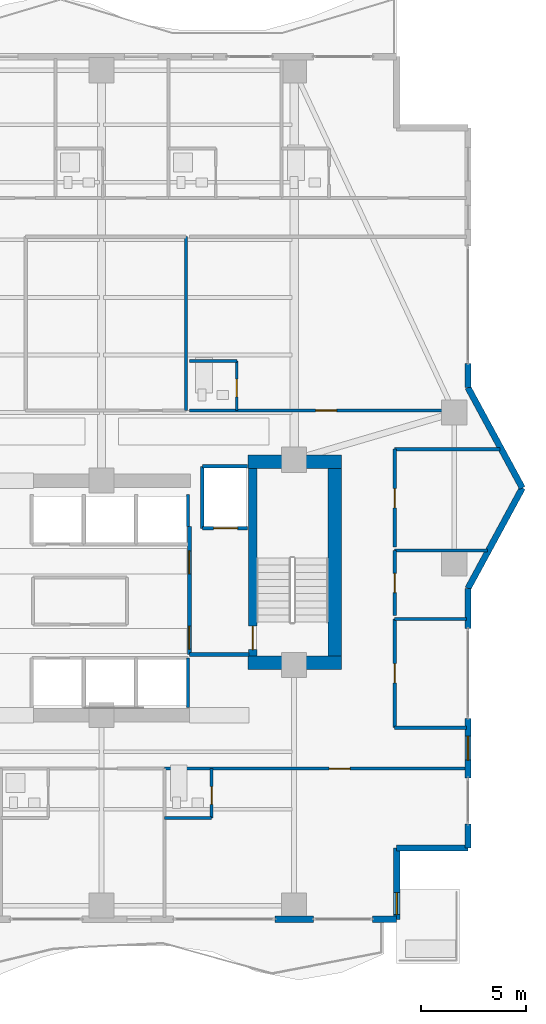
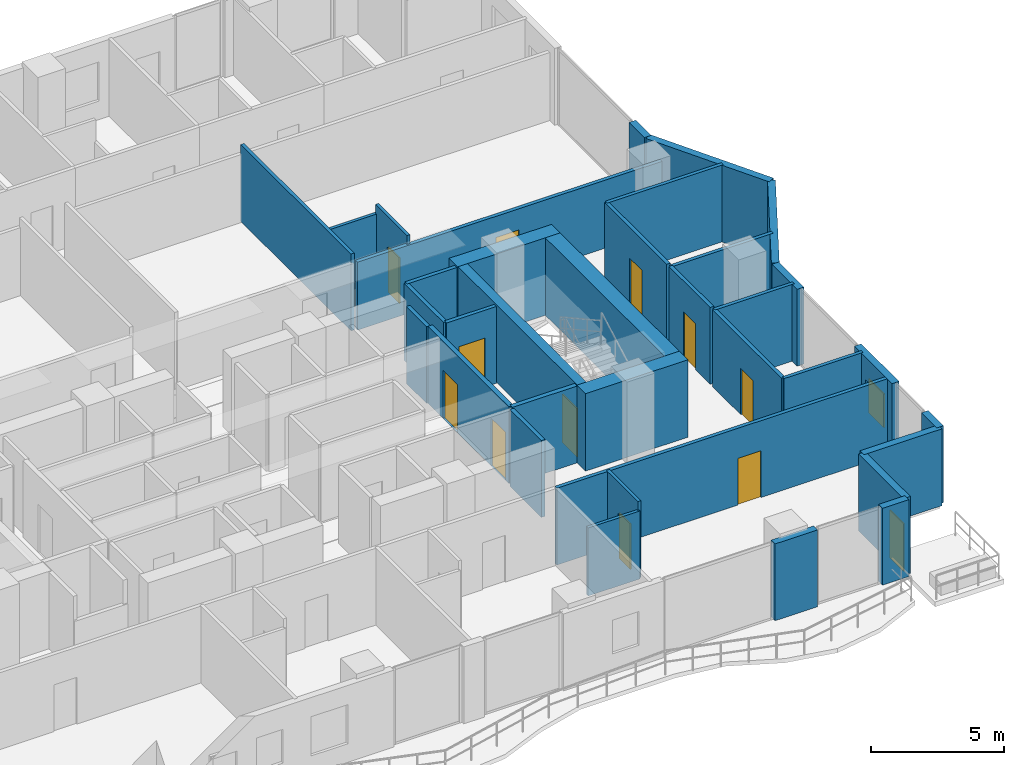
# One storey, part 26 of 32: 35 walls, 12 doors, 1 window, 13 openings.
"""IFC4 building model written with IfcOpenShell, lengths in metres."""

from ifc_helpers import new_model, si_unit, direction, frame, frame_2d, origin, place, context, subcontext, project, spatial, rectangle, extrude, material, layer, layer_set, type_object, element, fill, save


model = new_model("IFC4")

# Units and contexts
model_context = context("Model", 3, precision=1e-05, world=origin(), true_north=direction((0.0, 1.0)))
body_context = subcontext(model_context, "Body", "Model", "MODEL_VIEW")
ifc_project = project(units=[si_unit("LENGTHUNIT", "METRE"), si_unit("AREAUNIT", "SQUARE_METRE"), si_unit("VOLUMEUNIT", "CUBIC_METRE"), si_unit("PLANEANGLEUNIT", "RADIAN"), si_unit("MASSUNIT", "GRAM", prefix="KILO")], contexts=[model_context])

# Site, building, storey
site_placement = place(None, origin())
site = spatial("IfcSite", under=ifc_project, at=site_placement, CompositionType="ELEMENT")
building_placement = place(site_placement, origin())
building = spatial("IfcBuilding", under=site, at=building_placement, Name="Zuhayl Quay Hotel", CompositionType="ELEMENT")
storey_placement = place(building_placement, frame((0.0, 0.0, 203.64990234375)))
storey = spatial("IfcBuildingStorey", under=building, at=storey_placement, Name="L51", CompositionType="ELEMENT", Elevation=203.64990234375)

# Walls
ifc_material_1 = material(Name="Concrete C50/60", Category="concrete")
ifc_layer_1 = layer(ifc_material_1, 0.64990234375, Name="Concrete C50/60", Category="concrete")
ifc_layer_set_1 = layer_set([ifc_layer_1], Name="Concrete C50/60")
wall_type_1 = type_object("IfcWallType", Name="WL_CORE_650", PredefinedType="SHEAR", material=ifc_layer_set_1)
wall_1_placement = place(storey_placement, frame((11.60009765625, 14.2548828125, 0.0), z_axis=(0.0, 0.0, 1.0), x_axis=(1.0, 0.0, 0.0)))
element("IfcWall", 1, at=wall_1_placement, inside=storey, type_object=wall_type_1, Name="L51 Core Shear Wall CW_NE", PredefinedType="SHEAR", context=body_context, shape_type="SweptSolid", body=[
    extrude(rectangle(XDim=4.4599609375, YDim=0.64990234375, at=frame_2d((2.22998046875, 0.0))), origin(), (0.0, 0.0, 1.0), 3.56005859375),
])
wall_2_placement = place(storey_placement, frame((15.735107421875, 4.969970703125, 0.0), z_axis=(0.0, 0.0, 1.0), x_axis=(0.0, 1.0, 0.0)))
element("IfcWall", 2, at=wall_2_placement, inside=storey, type_object=wall_type_1, Name="L51 Core Shear Wall CW_E", PredefinedType="SHEAR", context=body_context, shape_type="SweptSolid", body=[
    extrude(rectangle(XDim=8.9599609375, YDim=0.64990234375, at=frame_2d((4.47998046875, 0.0))), origin(), (0.0, 0.0, 1.0), 3.56005859375),
])
wall_3_placement = place(storey_placement, frame((11.60009765625, 4.64501953125, 0.0), z_axis=(0.0, 0.0, 1.0), x_axis=(1.0, 0.0, 0.0)))
element("IfcWall", 3, at=wall_3_placement, inside=storey, type_object=wall_type_1, Name="L51 Core Shear Wall CW_SE", PredefinedType="SHEAR", context=body_context, shape_type="SweptSolid", body=[
    extrude(rectangle(XDim=4.4599609375, YDim=0.64990234375, at=frame_2d((2.22998046875, 0.0))), origin(), (0.0, 0.0, 1.0), 3.56005859375),
])
ifc_material_2 = material(Name="Precast concrete C45/55", Category="concrete")
ifc_layer_2 = layer(ifc_material_2, 0.300048828125, Name="Precast concrete C45/55", Category="concrete")
ifc_layer_set_2 = layer_set([ifc_layer_2], Name="Precast concrete C45/55")
wall_type_2 = type_object("IfcWallType", Name="WL_EXT_300", PredefinedType="STANDARD", material=ifc_layer_set_2)
wall_4_placement = place(storey_placement, frame((22.10009765625, 18.949951171875, 0.0), z_axis=(0.0, 0.0, 1.0), x_axis=(0.0, -1.0, 0.0)))
element("IfcWall", 4, at=wall_4_placement, inside=storey, type_object=wall_type_2, Name="L51 Exterior Precast Wall ENV_L51_E11_EW2", PredefinedType="STANDARD", context=body_context, shape_type="SweptSolid", body=[
    extrude(rectangle(XDim=1.14990234375, YDim=0.300048828125, at=frame_2d((0.574951171875, 0.0))), origin(), (0.0, 0.0, 1.0), 3.530029296875),
])
for number, where, z_axis, x_axis, name in (
    (5, (22.10009765625, 17.800048828125, 0.0), (0.0, 0.0, 1.0), (0.476258655584, -0.879305233114, 0.0), "L51 Exterior Precast Wall ENV_L51_EW12"),
    (6, (24.699951171875, 13.0, 0.0), (0.0, 0.0, 1.0), (-0.476258655584, -0.879305233114, 0.0), "L51 Exterior Precast Wall ENV_L51_EW13"),
):
    element("IfcWall", number, at=place(storey_placement, frame(where, z_axis=z_axis, x_axis=x_axis)), inside=storey, type_object=wall_type_2, Name=name, PredefinedType="STANDARD", context=body_context, shape_type="SweptSolid", body=[
        extrude(rectangle(XDim=5.458984375, YDim=0.300048828125, at=frame_2d((2.7294921875, 0.0))), origin(), (0.0, 0.0, 1.0), 3.530029296875),
    ])
wall_5_placement = place(storey_placement, frame((22.10009765625, 8.199951171875, 0.0), z_axis=(0.0, 0.0, 1.0), x_axis=(0.0, -1.0, 0.0)))
element("IfcWall", 7, at=wall_5_placement, inside=storey, type_object=wall_type_2, Name="L51 Exterior Precast Wall ENV_L51_E14_EW1", PredefinedType="STANDARD", context=body_context, shape_type="SweptSolid", body=[
    extrude(rectangle(XDim=1.89990234375, YDim=0.300048828125, at=frame_2d((0.949951171875, 0.0))), origin(), (0.0, 0.0, 1.0), 3.530029296875),
])

# Wall, opening, window
wall_6_placement = place(storey_placement, frame((22.10009765625, 2.0, 0.0), z_axis=(0.0, 0.0, 1.0), x_axis=(0.0, -1.0, 0.0)))
wall_6 = element("IfcWall", 8, at=wall_6_placement, inside=storey, type_object=wall_type_2, Name="L51 Exterior Precast Wall ENV_L51_E14_EW2", PredefinedType="STANDARD", context=body_context, shape_type="SweptSolid", body=[
    extrude(rectangle(XDim=2.85009765625, YDim=0.300048828125, at=frame_2d((1.425048828125, 0.0))), origin(), (0.0, 0.0, 1.0), 3.530029296875),
])
opening_1_placement = place(wall_6_placement, frame((0.85009765625, 0.0, 0.949951171875)))
opening_1 = element("IfcOpeningElement", 9, at=opening_1_placement, cuts=wall_6, Name="Opening W01N", PredefinedType="OPENING", context=body_context, shape_type="SweptSolid", body=[
    extrude(rectangle(XDim=1.14990234375, YDim=1.550048828125, at=frame_2d((0.574951171875, 0.77490234375))), frame((0.0, 0.159912109375, 0.0), z_axis=(0.0, -1.0, 0.0), x_axis=(1.0, 0.0, 0.0)), (0.0, 0.0, 1.0), 0.320068359375),
])
ifc_material_3 = material(Name="Dark Ceramic-Fritted Solar Glass", Category="glass")
window_type = type_object("IfcWindowType", Name="WN_NOTCH_1350", PartitioningType="SINGLE_PANEL", PredefinedType="WINDOW", material=ifc_material_3)
window_placement = place(opening_1_placement, origin())
window = element("IfcWindow", 10, at=window_placement, inside=storey, type_object=window_type, Name="L51 Operable Facade Window 2-1", OverallHeight=1.550048828125, OverallWidth=1.14990234375, PartitioningType="SINGLE_PANEL", PredefinedType="WINDOW", context=body_context, shape_type="SweptSolid", body=[
    extrude(rectangle(XDim=1.14990234375, YDim=1.550048828125, at=frame_2d((0.574951171875, 0.77490234375))), frame((0.0, 0.030029296875, 0.0), z_axis=(0.0, -1.0, 0.0), x_axis=(1.0, 0.0, 0.0)), (0.0, 0.0, 1.0), 0.06005859375),
])
fill(opening_1, window)

# Walls
wall_7_placement = place(storey_placement, frame((22.10009765625, -3.050048828125, 0.0), z_axis=(0.0, 0.0, 1.0), x_axis=(0.0, -1.0, 0.0)))
element("IfcWall", 11, at=wall_7_placement, inside=storey, type_object=wall_type_2, Name="L51 Exterior Precast Wall ENV_L51_E14_EW3", PredefinedType="STANDARD", context=body_context, shape_type="SweptSolid", body=[
    extrude(rectangle(XDim=1.14990234375, YDim=0.300048828125, at=frame_2d((0.574951171875, 0.0))), origin(), (0.0, 0.0, 1.0), 3.530029296875),
])
wall_8_placement = place(storey_placement, frame((22.10009765625, -4.199951171875, 0.0), z_axis=(0.0, 0.0, 1.0), x_axis=(-1.0, 0.0, 0.0)))
element("IfcWall", 12, at=wall_8_placement, inside=storey, type_object=wall_type_2, Name="L51 Exterior Precast Wall ENV_L51_EW15", PredefinedType="STANDARD", context=body_context, shape_type="SweptSolid", body=[
    extrude(rectangle(XDim=3.400146484375, YDim=0.300048828125, at=frame_2d((1.7001953125, 0.0))), origin(), (0.0, 0.0, 1.0), 3.530029296875),
])

# Wall, opening, door
wall_9_placement = place(storey_placement, frame((18.699951171875, -4.199951171875, 0.0), z_axis=(0.0, 0.0, 1.0), x_axis=(0.0, -1.0, 0.0)))
wall_9 = element("IfcWall", 13, at=wall_9_placement, inside=storey, type_object=wall_type_2, Name="L51 Exterior Precast Wall ENV_L51_SP_SE", PredefinedType="STANDARD", context=body_context, shape_type="SweptSolid", body=[
    extrude(rectangle(XDim=3.400146484375, YDim=0.300048828125, at=frame_2d((1.7001953125, 0.0))), origin(), (0.0, 0.0, 1.0), 3.530029296875),
])
opening_2_placement = place(wall_9_placement, frame((2.1298828125, 0.0, 0.0)))
opening_2 = element("IfcOpeningElement", 14, at=opening_2_placement, cuts=wall_9, Name="Opening DG1", PredefinedType="OPENING", context=body_context, shape_type="SweptSolid", body=[
    extrude(rectangle(XDim=1.050048828125, YDim=2.199951171875, at=frame_2d((0.52490234375, 1.10009765625))), frame((0.0, 0.159912109375, 0.0), z_axis=(0.0, -1.0, 0.0), x_axis=(1.0, 0.0, 0.0)), (0.0, 0.0, 1.0), 0.320068359375),
])
ifc_material_4 = material(Name="Anodised Aluminium and Dark Solar Glass", Category="aluminium")
door_type_1 = type_object("IfcDoorType", Name="DR_EXT_TERR_1050", OperationType="NOTDEFINED", PredefinedType="DOOR", material=ifc_material_4)
door_1_placement = place(opening_2_placement, origin())
door_1 = element("IfcDoor", 15, at=door_1_placement, inside=storey, type_object=door_type_1, Name="L51 Spiral Sky-Terrace SE Access Door", OperationType="SINGLE_SWING_LEFT", OverallHeight=2.199951171875, OverallWidth=1.050048828125, PredefinedType="DOOR", context=body_context, shape_type="SweptSolid", body=[
    extrude(rectangle(XDim=1.050048828125, YDim=2.199951171875, at=frame_2d((0.52490234375, 1.10009765625))), frame((0.0, 0.02490234375, 0.0), z_axis=(0.0, -1.0, 0.0), x_axis=(1.0, 0.0, 0.0)), (0.0, 0.0, 1.0), 0.050048828125),
])
fill(opening_2, door_1)

# Walls
wall_10_placement = place(storey_placement, frame((18.699951171875, -7.60009765625, 0.0), z_axis=(0.0, 0.0, 1.0), x_axis=(-1.0, 0.0, 0.0)))
element("IfcWall", 16, at=wall_10_placement, inside=storey, type_object=wall_type_2, Name="L51 Exterior Precast Wall ENV_L51_S_EW1", PredefinedType="STANDARD", context=body_context, shape_type="SweptSolid", body=[
    extrude(rectangle(XDim=1.14990234375, YDim=0.300048828125, at=frame_2d((0.574951171875, 0.0))), origin(), (0.0, 0.0, 1.0), 3.530029296875),
])
wall_11_placement = place(storey_placement, frame((14.719970703125, -7.60009765625, 0.0), z_axis=(0.0, 0.0, 1.0), x_axis=(-1.0, 0.0, 0.0)))
element("IfcWall", 17, at=wall_11_placement, inside=storey, type_object=wall_type_2, Name="L51 Exterior Precast Wall ENV_L51_S_EW2", PredefinedType="STANDARD", context=body_context, shape_type="SweptSolid", body=[
    extrude(rectangle(XDim=1.840087890625, YDim=0.300048828125, at=frame_2d((0.919921875, 0.0))), origin(), (0.0, 0.0, 1.0), 3.530029296875),
])
ifc_material_5 = material(Name="Acoustic Gypsum Partition STC-58")
ifc_layer_3 = layer(ifc_material_5, 0.14990234375, Name="Acoustic Gypsum Partition STC-58")
ifc_layer_set_3 = layer_set([ifc_layer_3], Name="Acoustic Gypsum Partition STC-58")
wall_type_3 = type_object("IfcWallType", Name="WL_PART_150", PredefinedType="PARTITIONING", material=ifc_layer_set_3)
wall_12_placement = place(storey_placement, frame((8.639892578125, 16.699951171875, 0.0), z_axis=(0.0, 0.0, 1.0), x_axis=(0.0, 1.0, 0.0)))
element("IfcWall", 18, at=wall_12_placement, inside=storey, type_object=wall_type_3, Name="L51 Partition IW_L51_Z3_MID_E_E", PredefinedType="PARTITIONING", context=body_context, shape_type="SweptSolid", body=[
    extrude(rectangle(XDim=8.300048828125, YDim=0.14990234375, at=frame_2d((4.14990234375, 0.0))), origin(), (0.0, 0.0, 1.0), 3.530029296875),
])
for number, where, z_axis, x_axis, name in (
    (19, (18.60009765625, 1.550048828125, 0.0), (0.0, 0.0, 1.0), (1.0, 0.0, 0.0), "L51 Partition IW_L51_HK_MAIN_S"),
    (20, (18.60009765625, 6.75, 0.0), (0.0, 0.0, 1.0), (1.0, 0.0, 0.0), "L51 Partition IW_L51_HK_MAIN_N"),
):
    element("IfcWall", number, at=place(storey_placement, frame(where, z_axis=z_axis, x_axis=x_axis)), inside=storey, type_object=wall_type_3, Name=name, PredefinedType="PARTITIONING", context=body_context, shape_type="SweptSolid", body=[
        extrude(rectangle(XDim=3.43994140625, YDim=0.14990234375, at=frame_2d((1.719970703125, 0.0))), origin(), (0.0, 0.0, 1.0), 3.530029296875),
    ])
wall_13_placement = place(storey_placement, frame((18.60009765625, 10.02001953125, 0.0), z_axis=(0.0, 0.0, 1.0), x_axis=(1.0, 0.0, 0.0)))
element("IfcWall", 21, at=wall_13_placement, inside=storey, type_object=wall_type_3, Name="L51 Partition IW_L51_EFLK_2_N", PredefinedType="PARTITIONING", context=body_context, shape_type="SweptSolid", body=[
    extrude(rectangle(XDim=4.42578125, YDim=0.14990234375, at=frame_2d((2.212890625, 0.0))), origin(), (0.0, 0.0, 1.0), 3.530029296875),
])
wall_14_placement = place(storey_placement, frame((18.60009765625, 14.85009765625, 0.0), z_axis=(0.0, 0.0, 1.0), x_axis=(1.0, 0.0, 0.0)))
element("IfcWall", 22, at=wall_14_placement, inside=storey, type_object=wall_type_3, Name="L51 Partition IW_L51_EFLK_3_N", PredefinedType="PARTITIONING", context=body_context, shape_type="SweptSolid", body=[
    extrude(rectangle(XDim=5.037841796875, YDim=0.14990234375, at=frame_2d((2.51904296875, 0.0))), origin(), (0.0, 0.0, 1.0), 3.530029296875),
])

# Wall, opening, door
ifc_layer_4 = layer(ifc_material_5, 0.159912109375, Name="Acoustic Gypsum Partition STC-58")
ifc_layer_set_4 = layer_set([ifc_layer_4], Name="Acoustic Gypsum Partition STC-58")
wall_type_4 = type_object("IfcWallType", Name="WL_PART_CORR_160", PredefinedType="PARTITIONING", material=ifc_layer_set_4)
wall_15_placement = place(storey_placement, frame((8.800048828125, 16.699951171875, 0.0), z_axis=(0.0, 0.0, 1.0), x_axis=(1.0, 0.0, 0.0)))
wall_15 = element("IfcWall", 23, at=wall_15_placement, inside=storey, type_object=wall_type_4, Name="L51 Partition IW_L51_MU04_COR", PredefinedType="PARTITIONING", context=body_context, shape_type="SweptSolid", body=[
    extrude(rectangle(XDim=13.239990234375, YDim=0.159912109375, at=frame_2d((6.6201171875, 0.0))), origin(), (0.0, 0.0, 1.0), 3.1240234375),
])
opening_3_placement = place(wall_15_placement, frame((6.02490234375, 0.0, 0.0)))
opening_3 = element("IfcOpeningElement", 24, at=opening_3_placement, cuts=wall_15, Name="Opening D03L", PredefinedType="OPENING", context=body_context, shape_type="SweptSolid", body=[
    extrude(rectangle(XDim=1.0, YDim=2.14990234375, at=frame_2d((0.5, 1.074951171875))), frame((0.0, 0.08984375, 0.0), z_axis=(0.0, -1.0, 0.0), x_axis=(1.0, 0.0, 0.0)), (0.0, 0.0, 1.0), 0.179931640625),
])
ifc_material_6 = material(Name="Solid Walnut Acoustic Fire Door")
door_type_2 = type_object("IfcDoorType", Name="DR_SUITE_1000", OperationType="NOTDEFINED", PredefinedType="DOOR", material=ifc_material_6)
door_2_placement = place(opening_3_placement, origin())
door_2 = element("IfcDoor", 25, at=door_2_placement, inside=storey, type_object=door_type_2, Name="L51 Club Junior Suite L51-M4 Entrance Door", OperationType="SINGLE_SWING_RIGHT", OverallHeight=2.14990234375, OverallWidth=1.0, PredefinedType="DOOR", context=body_context, shape_type="SweptSolid", body=[
    extrude(rectangle(XDim=1.0, YDim=2.14990234375, at=frame_2d((0.5, 1.074951171875))), frame((0.0, 0.02490234375, 0.0), z_axis=(0.0, -1.0, 0.0), x_axis=(1.0, 0.0, 0.0)), (0.0, 0.0, 1.0), 0.050048828125),
])
fill(opening_3, door_2)

wall_16_placement = place(storey_placement, frame((7.60009765625, -0.39990234375, 0.0), z_axis=(0.0, 0.0, 1.0), x_axis=(1.0, 0.0, 0.0)))
wall_16 = element("IfcWall", 26, at=wall_16_placement, inside=storey, type_object=wall_type_4, Name="L51 Partition IW_L51_SU04_COR", PredefinedType="PARTITIONING", context=body_context, shape_type="SweptSolid", body=[
    extrude(rectangle(XDim=14.43994140625, YDim=0.159912109375, at=frame_2d((7.219970703125, 0.0))), origin(), (0.0, 0.0, 1.0), 3.530029296875),
])
opening_4_placement = place(wall_16_placement, frame((7.8701171875, 0.0, 0.0)))
opening_4 = element("IfcOpeningElement", 27, at=opening_4_placement, cuts=wall_16, Name="Opening D03L", PredefinedType="OPENING", context=body_context, shape_type="SweptSolid", body=[
    extrude(rectangle(XDim=1.0, YDim=2.14990234375, at=frame_2d((0.5, 1.074951171875))), frame((0.0, 0.08984375, 0.0), z_axis=(0.0, -1.0, 0.0), x_axis=(1.0, 0.0, 0.0)), (0.0, 0.0, 1.0), 0.179931640625),
])
door_3_placement = place(opening_4_placement, origin())
door_3 = element("IfcDoor", 28, at=door_3_placement, inside=storey, type_object=door_type_2, Name="L51 City-View Junior Suite L51-04 Entrance Door", OperationType="SINGLE_SWING_RIGHT", OverallHeight=2.14990234375, OverallWidth=1.0, PredefinedType="DOOR", context=body_context, shape_type="SweptSolid", body=[
    extrude(rectangle(XDim=1.0, YDim=2.14990234375, at=frame_2d((0.5, 1.074951171875))), frame((0.0, 0.02490234375, 0.0), z_axis=(0.0, -1.0, 0.0), x_axis=(1.0, 0.0, 0.0)), (0.0, 0.0, 1.0), 0.050048828125),
])
fill(opening_4, door_3)

wall_17_placement = place(storey_placement, frame((18.60009765625, 1.550048828125, 0.0), z_axis=(0.0, 0.0, 1.0), x_axis=(0.0, 1.0, 0.0)))
wall_17 = element("IfcWall", 29, at=wall_17_placement, inside=storey, type_object=wall_type_4, Name="L51 Partition IW_L51_HK_MAIN_W", PredefinedType="PARTITIONING", context=body_context, shape_type="SweptSolid", body=[
    extrude(rectangle(XDim=5.199951171875, YDim=0.159912109375, at=frame_2d((2.60009765625, 0.0))), origin(), (0.0, 0.0, 1.0), 3.530029296875),
])
opening_5_placement = place(wall_17_placement, frame((2.139892578125, 0.0, 0.0)))
opening_5 = element("IfcOpeningElement", 30, at=opening_5_placement, cuts=wall_17, Name="Opening D05", PredefinedType="OPENING", context=body_context, shape_type="SweptSolid", body=[
    extrude(rectangle(XDim=0.919921875, YDim=2.1201171875, at=frame_2d((0.4599609375, 1.06005859375))), frame((0.0, 0.08984375, 0.0), z_axis=(0.0, -1.0, 0.0), x_axis=(1.0, 0.0, 0.0)), (0.0, 0.0, 1.0), 0.179931640625),
])
door_type_3 = type_object("IfcDoorType", Name="DR_INT_950", OperationType="NOTDEFINED", PredefinedType="DOOR", material=ifc_material_6)
door_4_placement = place(opening_5_placement, origin())
door_4 = element("IfcDoor", 31, at=door_4_placement, inside=storey, type_object=door_type_3, Name="L51 Housekeeping and Linen Room Door", OperationType="SINGLE_SWING_LEFT", OverallHeight=2.1201171875, OverallWidth=0.919921875, PredefinedType="DOOR", context=body_context, shape_type="SweptSolid", body=[
    extrude(rectangle(XDim=0.919921875, YDim=2.1201171875, at=frame_2d((0.4599609375, 1.06005859375))), frame((0.0, 0.02490234375, 0.0), z_axis=(0.0, -1.0, 0.0), x_axis=(1.0, 0.0, 0.0)), (0.0, 0.0, 1.0), 0.050048828125),
])
fill(opening_5, door_4)

wall_18_placement = place(storey_placement, frame((18.60009765625, 6.909912109375, 0.0), z_axis=(0.0, 0.0, 1.0), x_axis=(0.0, 1.0, 0.0)))
wall_18 = element("IfcWall", 32, at=wall_18_placement, inside=storey, type_object=wall_type_4, Name="L51 Partition IW_L51_EFLK_2_W", PredefinedType="PARTITIONING", context=body_context, shape_type="SweptSolid", body=[
    extrude(rectangle(XDim=3.110107421875, YDim=0.159912109375, at=frame_2d((1.55517578125, 0.0))), origin(), (0.0, 0.0, 1.0), 3.530029296875),
])
opening_6_placement = place(wall_18_placement, frame((1.094970703125, 0.0, 0.0)))
opening_6 = element("IfcOpeningElement", 33, at=opening_6_placement, cuts=wall_18, Name="Opening D05", PredefinedType="OPENING", context=body_context, shape_type="SweptSolid", body=[
    extrude(rectangle(XDim=0.919921875, YDim=2.1201171875, at=frame_2d((0.4599609375, 1.06005859375))), frame((0.0, 0.08984375, 0.0), z_axis=(0.0, -1.0, 0.0), x_axis=(1.0, 0.0, 0.0)), (0.0, 0.0, 1.0), 0.179931640625),
])
door_5_placement = place(opening_6_placement, origin())
door_5 = element("IfcDoor", 34, at=door_5_placement, inside=storey, type_object=door_type_3, Name="L51 Floor Beverage Pantry Door", OperationType="SINGLE_SWING_RIGHT", OverallHeight=2.1201171875, OverallWidth=0.919921875, PredefinedType="DOOR", context=body_context, shape_type="SweptSolid", body=[
    extrude(rectangle(XDim=0.919921875, YDim=2.1201171875, at=frame_2d((0.4599609375, 1.06005859375))), frame((0.0, 0.02490234375, 0.0), z_axis=(0.0, -1.0, 0.0), x_axis=(1.0, 0.0, 0.0)), (0.0, 0.0, 1.0), 0.050048828125),
])
fill(opening_6, door_5)

wall_19_placement = place(storey_placement, frame((18.60009765625, 10.179931640625, 0.0), z_axis=(0.0, 0.0, 1.0), x_axis=(0.0, 1.0, 0.0)))
wall_19 = element("IfcWall", 35, at=wall_19_placement, inside=storey, type_object=wall_type_4, Name="L51 Partition IW_L51_EFLK_3_W", PredefinedType="PARTITIONING", context=body_context, shape_type="SweptSolid", body=[
    extrude(rectangle(XDim=4.670166015625, YDim=0.159912109375, at=frame_2d((2.3349609375, 0.0))), origin(), (0.0, 0.0, 1.0), 3.530029296875),
])
opening_7_placement = place(wall_19_placement, frame((1.875, 0.0, 0.0)))
opening_7 = element("IfcOpeningElement", 36, at=opening_7_placement, cuts=wall_19, Name="Opening D05", PredefinedType="OPENING", context=body_context, shape_type="SweptSolid", body=[
    extrude(rectangle(XDim=0.919921875, YDim=2.1201171875, at=frame_2d((0.4599609375, 1.06005859375))), frame((0.0, 0.08984375, 0.0), z_axis=(0.0, -1.0, 0.0), x_axis=(1.0, 0.0, 0.0)), (0.0, 0.0, 1.0), 0.179931640625),
])
door_6_placement = place(opening_7_placement, origin())
door_6 = element("IfcDoor", 37, at=door_6_placement, inside=storey, type_object=door_type_3, Name="L51 East Prow Office L51 Door", OperationType="SINGLE_SWING_LEFT", OverallHeight=2.1201171875, OverallWidth=0.919921875, PredefinedType="DOOR", context=body_context, shape_type="SweptSolid", body=[
    extrude(rectangle(XDim=0.919921875, YDim=2.1201171875, at=frame_2d((0.4599609375, 1.06005859375))), frame((0.0, 0.02490234375, 0.0), z_axis=(0.0, -1.0, 0.0), x_axis=(1.0, 0.0, 0.0)), (0.0, 0.0, 1.0), 0.050048828125),
])
fill(opening_7, door_6)

ifc_material_7 = material(Name="Moisture-Resistant Sanitarychase Gypsum")
ifc_layer_5 = layer(ifc_material_7, 0.135009765625, Name="Moisture-Resistant Sanitarychase Gypsum")
ifc_layer_set_5 = layer_set([ifc_layer_5], Name="Moisture-Resistant Sanitarychase Gypsum")
wall_type_5 = type_object("IfcWallType", Name="WL_PART_PLUMB_150", PredefinedType="PLUMBINGWALL", material=ifc_layer_set_5)
wall_20_placement = place(storey_placement, frame((11.06005859375, 16.699951171875, 0.0), z_axis=(0.0, 0.0, 1.0), x_axis=(0.0, 1.0, 0.0)))
wall_20 = element("IfcWall", 38, at=wall_20_placement, inside=storey, type_object=wall_type_5, Name="L51 Partition IW_L51_MU04_BE", PredefinedType="PLUMBINGWALL", context=body_context, shape_type="SweptSolid", body=[
    extrude(rectangle(XDim=2.360107421875, YDim=0.135009765625, at=frame_2d((1.18017578125, 0.0))), origin(), (0.0, 0.0, 1.0), 3.530029296875),
])
opening_8_placement = place(wall_20_placement, frame((0.64990234375, 0.0, 0.0)))
opening_8 = element("IfcOpeningElement", 39, at=opening_8_placement, cuts=wall_20, Name="Opening D04", PredefinedType="OPENING", context=body_context, shape_type="SweptSolid", body=[
    extrude(rectangle(XDim=0.85009765625, YDim=2.10009765625, at=frame_2d((0.425048828125, 1.050048828125))), frame((0.0, 0.077392578125, 0.0), z_axis=(0.0, -1.0, 0.0), x_axis=(1.0, 0.0, 0.0)), (0.0, 0.0, 1.0), 0.155029296875),
])
ifc_material_8 = material(Name="Moisture-Resistant Walnut Veneer")
door_type_4 = type_object("IfcDoorType", Name="DR_BATH_850", OperationType="NOTDEFINED", PredefinedType="DOOR", material=ifc_material_8)
door_7_placement = place(opening_8_placement, origin())
door_7 = element("IfcDoor", 40, at=door_7_placement, inside=storey, type_object=door_type_4, Name="L51 Club Junior Suite L51-M4 En-Suite Door", OperationType="SINGLE_SWING_LEFT", OverallHeight=2.10009765625, OverallWidth=0.85009765625, PredefinedType="DOOR", context=body_context, shape_type="SweptSolid", body=[
    extrude(rectangle(XDim=0.85009765625, YDim=2.10009765625, at=frame_2d((0.425048828125, 1.050048828125))), frame((0.0, 0.02490234375, 0.0), z_axis=(0.0, -1.0, 0.0), x_axis=(1.0, 0.0, 0.0)), (0.0, 0.0, 1.0), 0.050048828125),
])
fill(opening_8, door_7)

wall_21_placement = place(storey_placement, frame((9.860107421875, -2.760009765625, 0.0), z_axis=(0.0, 0.0, 1.0), x_axis=(0.0, 1.0, 0.0)))
wall_21 = element("IfcWall", 41, at=wall_21_placement, inside=storey, type_object=wall_type_5, Name="L51 Partition IW_L51_SU04_BE", PredefinedType="PLUMBINGWALL", context=body_context, shape_type="SweptSolid", body=[
    extrude(rectangle(XDim=2.360107421875, YDim=0.135009765625, at=frame_2d((1.18017578125, 0.0))), origin(), (0.0, 0.0, 1.0), 3.530029296875),
])
opening_9_placement = place(wall_21_placement, frame((0.64990234375, 0.0, 0.0)))
opening_9 = element("IfcOpeningElement", 42, at=opening_9_placement, cuts=wall_21, Name="Opening D04", PredefinedType="OPENING", context=body_context, shape_type="SweptSolid", body=[
    extrude(rectangle(XDim=0.85009765625, YDim=2.10009765625, at=frame_2d((0.425048828125, 1.050048828125))), frame((0.0, 0.077392578125, 0.0), z_axis=(0.0, -1.0, 0.0), x_axis=(1.0, 0.0, 0.0)), (0.0, 0.0, 1.0), 0.155029296875),
])
door_8_placement = place(opening_9_placement, origin())
door_8 = element("IfcDoor", 43, at=door_8_placement, inside=storey, type_object=door_type_4, Name="L51 City-View Junior Suite L51-04 En-Suite Door", OperationType="SINGLE_SWING_LEFT", OverallHeight=2.10009765625, OverallWidth=0.85009765625, PredefinedType="DOOR", context=body_context, shape_type="SweptSolid", body=[
    extrude(rectangle(XDim=0.85009765625, YDim=2.10009765625, at=frame_2d((0.425048828125, 1.050048828125))), frame((0.0, 0.02490234375, 0.0), z_axis=(0.0, -1.0, 0.0), x_axis=(1.0, 0.0, 0.0)), (0.0, 0.0, 1.0), 0.050048828125),
])
fill(opening_9, door_8)

# Walls
for number, where, z_axis, x_axis, name in (
    (44, (8.800048828125, 19.06005859375, 0.0), (0.0, 0.0, 1.0), (1.0, 0.0, 0.0), "L51 Partition IW_L51_MU04_BN"),
    (45, (7.60009765625, -2.760009765625, 0.0), (0.0, 0.0, 1.0), (1.0, 0.0, 0.0), "L51 Partition IW_L51_SU04_BS"),
):
    element("IfcWall", number, at=place(storey_placement, frame(where, z_axis=z_axis, x_axis=x_axis)), inside=storey, type_object=wall_type_5, Name=name, PredefinedType="PLUMBINGWALL", context=body_context, shape_type="SweptSolid", body=[
        extrude(rectangle(XDim=2.260009765625, YDim=0.135009765625, at=frame_2d((1.1298828125, 0.0))), origin(), (0.0, 0.0, 1.0), 3.1240234375),
    ])

# Wall, opening, door
ifc_material_9 = material(Name="Gypsum Fireboard Assembly EI-90")
ifc_layer_6 = layer(ifc_material_9, 0.1650390625, Name="Gypsum Fireboard Assembly EI-90")
ifc_layer_set_6 = layer_set([ifc_layer_6], Name="Gypsum Fireboard Assembly EI-90")
wall_type_6 = type_object("IfcWallType", Name="WL_PART_SHAFT_160", PredefinedType="PARTITIONING", material=ifc_layer_set_6)
wall_22_placement = place(storey_placement, frame((9.419921875, 11.070068359375, 0.0), z_axis=(0.0, 0.0, 1.0), x_axis=(1.0, 0.0, 0.0)))
wall_22 = element("IfcWall", 46, at=wall_22_placement, inside=storey, type_object=wall_type_6, Name="L51 Partition IW_L51_SH_FL2_F", PredefinedType="PARTITIONING", context=body_context, shape_type="SweptSolid", body=[
    extrude(rectangle(XDim=2.16015625, YDim=0.1650390625, at=frame_2d((1.080078125, 0.0))), origin(), (0.0, 0.0, 1.0), 3.530029296875),
])
opening_10_placement = place(wall_22_placement, frame((0.530029296875, 0.0, 0.0)))
opening_10 = element("IfcOpeningElement", 47, at=opening_10_placement, cuts=wall_22, Name="Opening LD2", PredefinedType="OPENING", context=body_context, shape_type="SweptSolid", body=[
    extrude(rectangle(XDim=1.14990234375, YDim=2.25, at=frame_2d((0.574951171875, 1.125))), frame((0.0, 0.092529296875, 0.0), z_axis=(0.0, -1.0, 0.0), x_axis=(1.0, 0.0, 0.0)), (0.0, 0.0, 1.0), 0.18505859375),
])
ifc_material_10 = material(Name="Brushed Stainless Steel", Category="steel")
door_type_5 = type_object("IfcDoorType", Name="DR_LIFT_FF_1100", OperationType="SLIDING_TO_LEFT", PredefinedType="DOOR", material=ifc_material_10)
door_9_placement = place(opening_10_placement, origin())
door_9 = element("IfcDoor", 48, at=door_9_placement, inside=storey, type_object=door_type_5, Name="L51 Lift FL2 Sliding Landing Door", OperationType="SLIDING_TO_LEFT", OverallHeight=2.25, OverallWidth=1.14990234375, PredefinedType="DOOR", context=body_context, shape_type="SweptSolid", body=[
    extrude(rectangle(XDim=1.14990234375, YDim=2.25, at=frame_2d((0.574951171875, 1.125))), frame((0.0, 0.02490234375, 0.0), z_axis=(0.0, -1.0, 0.0), x_axis=(1.0, 0.0, 0.0)), (0.0, 0.0, 1.0), 0.050048828125),
])
fill(opening_10, door_9)

# Walls
wall_23_placement = place(storey_placement, frame((9.419921875, 11.070068359375, 0.0), z_axis=(0.0, 0.0, 1.0), x_axis=(0.0, 1.0, 0.0)))
element("IfcWall", 49, at=wall_23_placement, inside=storey, type_object=wall_type_6, Name="L51 Partition IW_L51_SH_FL2_W", PredefinedType="PARTITIONING", context=body_context, shape_type="SweptSolid", body=[
    extrude(rectangle(XDim=2.9599609375, YDim=0.1650390625, at=frame_2d((1.47998046875, 0.0))), origin(), (0.0, 0.0, 1.0), 3.530029296875),
])
wall_24_placement = place(storey_placement, frame((9.419921875, 14.030029296875, 0.0), z_axis=(0.0, 0.0, 1.0), x_axis=(1.0, 0.0, 0.0)))
element("IfcWall", 50, at=wall_24_placement, inside=storey, type_object=wall_type_6, Name="L51 Partition IW_L51_SH_FL2_B", PredefinedType="PARTITIONING", context=body_context, shape_type="SweptSolid", body=[
    extrude(rectangle(XDim=2.16015625, YDim=0.1650390625, at=frame_2d((1.080078125, 0.0))), origin(), (0.0, 0.0, 1.0), 3.530029296875),
])
wall_25_placement = place(storey_placement, frame((8.72998046875, 2.52001953125, 0.0), z_axis=(0.0, 0.0, 1.0), x_axis=(0.0, 1.0, 0.0)))
element("IfcWall", 51, at=wall_25_placement, inside=storey, type_object=wall_type_6, Name="L51 Partition IW_L51_SH_HP2_E", PredefinedType="PARTITIONING", context=body_context, shape_type="SweptSolid", body=[
    extrude(rectangle(XDim=2.35986328125, YDim=0.1650390625, at=frame_2d((1.179931640625, 0.0))), origin(), (0.0, 0.0, 1.0), 3.530029296875),
])
wall_26_placement = place(storey_placement, frame((8.72998046875, 11.14990234375, 0.0), z_axis=(0.0, 0.0, 1.0), x_axis=(0.0, 1.0, 0.0)))
element("IfcWall", 52, at=wall_26_placement, inside=storey, type_object=wall_type_6, Name="L51 Partition IW_L51_SH_HP4_E", PredefinedType="PARTITIONING", context=body_context, shape_type="SweptSolid", body=[
    extrude(rectangle(XDim=1.530029296875, YDim=0.1650390625, at=frame_2d((0.76513671875, 0.0))), origin(), (0.0, 0.0, 1.0), 3.530029296875),
])

# Wall, openings, doors
ifc_material_11 = material(Name="Gypsum Fireboard Assembly EI-120")
ifc_layer_7 = layer(ifc_material_11, 0.199951171875, Name="Gypsum Fireboard Assembly EI-120")
ifc_layer_set_7 = layer_set([ifc_layer_7], Name="Gypsum Fireboard Assembly EI-120")
wall_type_7 = type_object("IfcWallType", Name="WL_PART_SHAFT_200", PredefinedType="PARTITIONING", material=ifc_layer_set_7)
wall_27_placement = place(storey_placement, frame((8.800048828125, 11.14990234375, 0.0), z_axis=(0.0, 0.0, 1.0), x_axis=(0.0, -1.0, 0.0)))
wall_27 = element("IfcWall", 53, at=wall_27_placement, inside=storey, type_object=wall_type_7, Name="L51 Partition IW_L51_FSAE_E_W", PredefinedType="PARTITIONING", context=body_context, shape_type="SweptSolid", body=[
    extrude(rectangle(XDim=6.099853515625, YDim=0.199951171875, at=frame_2d((3.0498046875, 0.0))), origin(), (0.0, 0.0, 1.0), 3.530029296875),
])
opening_11_placement = place(wall_27_placement, frame((1.14990234375, 0.0, 0.0)))
opening_11 = element("IfcOpeningElement", 54, at=opening_11_placement, cuts=wall_27, Name="Opening D02", PredefinedType="OPENING", context=body_context, shape_type="SweptSolid", body=[
    extrude(rectangle(XDim=1.10009765625, YDim=2.199951171875, at=frame_2d((0.550048828125, 1.10009765625))), frame((0.0, 0.10986328125, 0.0), z_axis=(0.0, -1.0, 0.0), x_axis=(1.0, 0.0, 0.0)), (0.0, 0.0, 1.0), 0.219970703125),
])
opening_12_placement = place(wall_27_placement, frame((4.75, 0.0, 0.0)))
opening_12 = element("IfcOpeningElement", 55, at=opening_12_placement, cuts=wall_27, Name="Opening D02", PredefinedType="OPENING", context=body_context, shape_type="SweptSolid", body=[
    extrude(rectangle(XDim=1.10009765625, YDim=2.199951171875, at=frame_2d((0.550048828125, 1.10009765625))), frame((0.0, 0.10986328125, 0.0), z_axis=(0.0, -1.0, 0.0), x_axis=(1.0, 0.0, 0.0)), (0.0, 0.0, 1.0), 0.219970703125),
])
ifc_material_12 = material(Name="Steel ASTM A992 Grade 50", Category="steel")
door_type_6 = type_object("IfcDoorType", Name="DR_FIRE_90_1100", OperationType="NOTDEFINED", PredefinedType="DOOR", material=ifc_material_12)
door_10_placement = place(opening_11_placement, origin())
door_10 = element("IfcDoor", 56, at=door_10_placement, inside=storey, type_object=door_type_6, Name="L51 FSAE Lobby East North Entry Door", OperationType="SINGLE_SWING_RIGHT", OverallHeight=2.199951171875, OverallWidth=1.10009765625, PredefinedType="DOOR", context=body_context, shape_type="SweptSolid", body=[
    extrude(rectangle(XDim=1.10009765625, YDim=2.199951171875, at=frame_2d((0.550048828125, 1.10009765625))), frame((0.0, 0.02490234375, 0.0), z_axis=(0.0, -1.0, 0.0), x_axis=(1.0, 0.0, 0.0)), (0.0, 0.0, 1.0), 0.050048828125),
])
fill(opening_11, door_10)
door_11_placement = place(opening_12_placement, origin())
door_11 = element("IfcDoor", 57, at=door_11_placement, inside=storey, type_object=door_type_6, Name="L51 FSAE Lobby East South Entry Door", OperationType="SINGLE_SWING_LEFT", OverallHeight=2.199951171875, OverallWidth=1.10009765625, PredefinedType="DOOR", context=body_context, shape_type="SweptSolid", body=[
    extrude(rectangle(XDim=1.10009765625, YDim=2.199951171875, at=frame_2d((0.550048828125, 1.10009765625))), frame((0.0, 0.02490234375, 0.0), z_axis=(0.0, -1.0, 0.0), x_axis=(1.0, 0.0, 0.0)), (0.0, 0.0, 1.0), 0.050048828125),
])
fill(opening_12, door_11)

# Wall
wall_28_placement = place(storey_placement, frame((8.800048828125, 5.050048828125, 0.0), z_axis=(0.0, 0.0, 1.0), x_axis=(1.0, 0.0, 0.0)))
element("IfcWall", 58, at=wall_28_placement, inside=storey, type_object=wall_type_7, Name="L51 Partition IW_L51_FSAE_E_S", PredefinedType="PARTITIONING", context=body_context, shape_type="SweptSolid", body=[
    extrude(rectangle(XDim=2.849853515625, YDim=0.199951171875, at=frame_2d((1.4248046875, 0.0))), origin(), (0.0, 0.0, 1.0), 3.530029296875),
])

# Wall, opening, door
ifc_material_13 = material(Name="Concrete C60/75", Category="concrete")
ifc_layer_8 = layer(ifc_material_13, 0.39990234375, Name="Concrete C60/75", Category="concrete")
ifc_layer_set_8 = layer_set([ifc_layer_8], Name="Concrete C60/75")
wall_type_8 = type_object("IfcWallType", Name="WL_STAIR_400", PredefinedType="SHEAR", material=ifc_layer_set_8)
wall_29_placement = place(storey_placement, frame((11.820068359375, 13.929931640625, 0.0), z_axis=(0.0, 0.0, 1.0), x_axis=(0.0, -1.0, 0.0)))
wall_29 = element("IfcWall", 59, at=wall_29_placement, inside=storey, type_object=wall_type_8, Name="L51 Core Shear Wall SW_ST2", PredefinedType="SHEAR", context=body_context, shape_type="SweptSolid", body=[
    extrude(rectangle(XDim=8.9599609375, YDim=0.39990234375, at=frame_2d((4.47998046875, 0.0))), origin(), (0.0, 0.0, 1.0), 3.56005859375),
])
opening_13_placement = place(wall_29_placement, frame((7.530029296875, 0.0, 0.0)))
opening_13 = element("IfcOpeningElement", 60, at=opening_13_placement, cuts=wall_29, Name="Opening D01", PredefinedType="OPENING", context=body_context, shape_type="SweptSolid", body=[
    extrude(rectangle(XDim=1.1201171875, YDim=2.219970703125, at=frame_2d((0.56005859375, 1.10986328125))), frame((0.0, 0.2099609375, 0.0), z_axis=(0.0, -1.0, 0.0), x_axis=(1.0, 0.0, 0.0)), (0.0, 0.0, 1.0), 0.419921875),
])
door_type_7 = type_object("IfcDoorType", Name="DR_STAIR_90_1100", OperationType="NOTDEFINED", PredefinedType="DOOR", material=ifc_material_12)
door_12_placement = place(opening_13_placement, origin())
door_12 = element("IfcDoor", 61, at=door_12_placement, inside=storey, type_object=door_type_7, Name="L51 Smokeproof Exit Stair ST2 Door", OperationType="SINGLE_SWING_RIGHT", OverallHeight=2.219970703125, OverallWidth=1.1201171875, PredefinedType="DOOR", context=body_context, shape_type="SweptSolid", body=[
    extrude(rectangle(XDim=1.1201171875, YDim=2.219970703125, at=frame_2d((0.56005859375, 1.10986328125))), frame((0.0, 0.02490234375, 0.0), z_axis=(0.0, -1.0, 0.0), x_axis=(1.0, 0.0, 0.0)), (0.0, 0.0, 1.0), 0.050048828125),
])
fill(opening_13, door_12)

save(model, "model.ifc")
